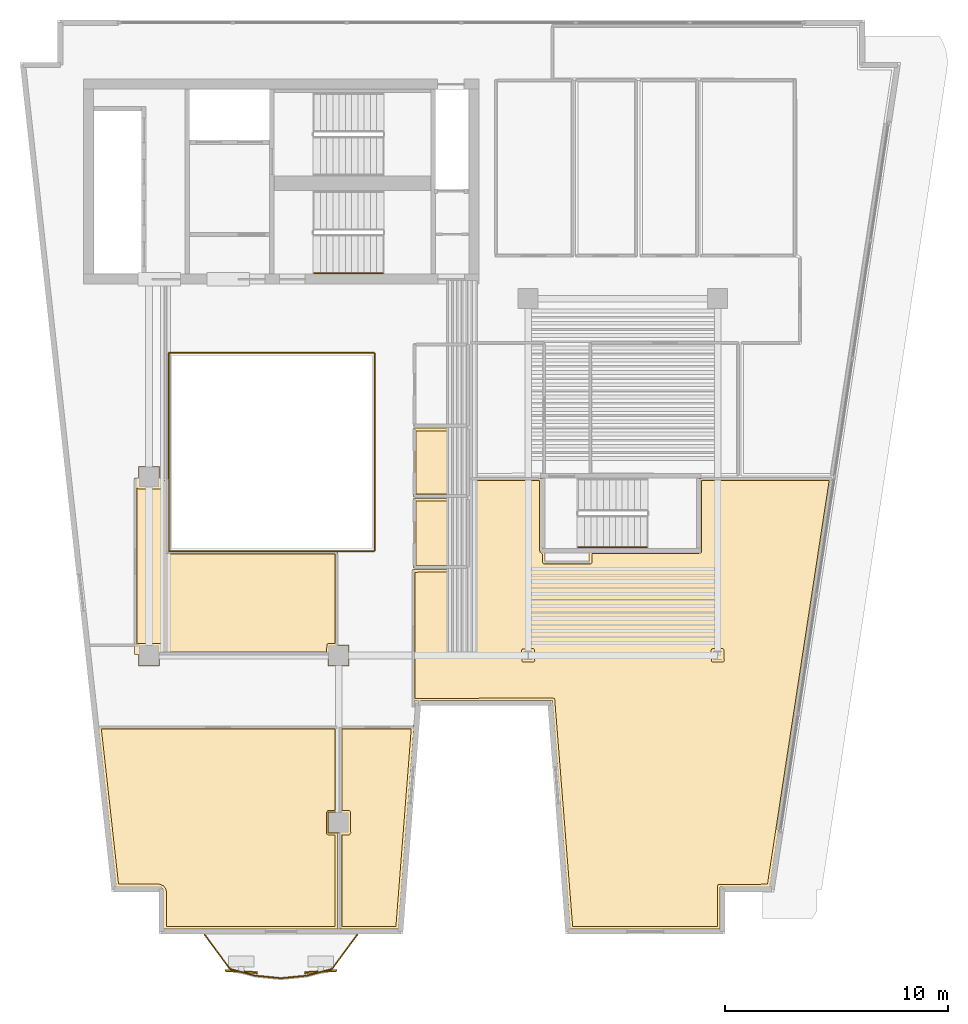
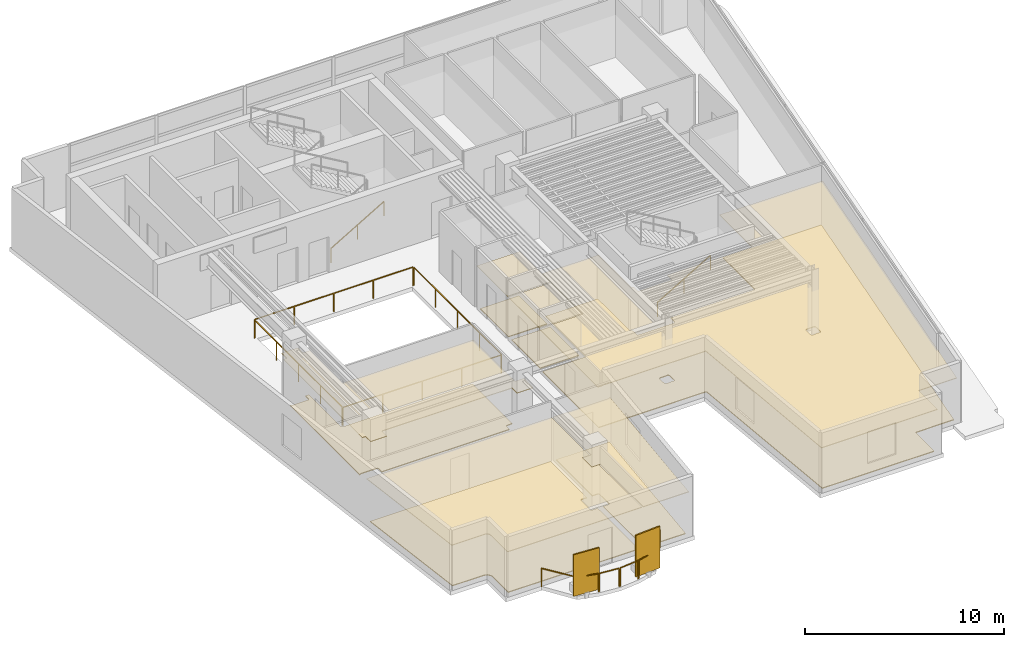
# One storey, part 7 of 8: 12 coverings, 12 railings, 2 shading devices.
"""IFC4 building model written with IfcOpenShell, lengths in metres."""

from ifc_helpers import new_model, si_unit, direction, frame, origin, origin_2d, place, context, subcontext, project, spatial, polyline, rectangle, outline, extrude, material, layer, layer_set, type_object, element, save


model = new_model("IFC4")

# Units and contexts
model_context = context("Model", 3, precision=1e-05, world=origin(), true_north=direction((0.0, 1.0)))
body_context = subcontext(model_context, "Body", "Model", "MODEL_VIEW")
ifc_project = project(units=[si_unit("LENGTHUNIT", "METRE"), si_unit("AREAUNIT", "SQUARE_METRE"), si_unit("VOLUMEUNIT", "CUBIC_METRE"), si_unit("PLANEANGLEUNIT", "RADIAN"), si_unit("MASSUNIT", "GRAM", prefix="KILO")], contexts=[model_context])

# Site, building, storey
site_placement = place(None, origin())
site = spatial("IfcSite", under=ifc_project, at=site_placement, CompositionType="ELEMENT")
building_placement = place(site_placement, origin())
building = spatial("IfcBuilding", under=site, at=building_placement, Name="Caeloran Harvest Quay", CompositionType="ELEMENT")
storey_placement = place(building_placement, frame((0.0, 0.0, 235.10009765625)))
storey = spatial("IfcBuildingStorey", under=building, at=storey_placement, Name="L56", CompositionType="ELEMENT", Elevation=235.10009765625)

# Coverings
ifc_material_1 = material(Name="Perforated Mineral-Fibre Acoustic Ceiling Tile", Category="ceiling")
ifc_layer_1 = layer(ifc_material_1, 0.0400390625, Name="Perforated Mineral-Fibre Acoustic Ceiling Tile")
ifc_layer_set_1 = layer_set([ifc_layer_1], Name="Perforated Mineral-Fibre Acoustic Ceiling Tile")
covering_type_1 = type_object("IfcCoveringType", Name="COV-CEILING-ACOUSTIC", PredefinedType="CEILING", material=ifc_layer_set_1)
covering_1_placement = place(storey_placement, frame((0.0, 0.0, 2.599853515625)))
element("IfcCovering", 1, at=covering_1_placement, inside=storey, type_object=covering_type_1, Name="L56 Female Washroom WC Acoustic Ceiling", PredefinedType="CEILING", context=body_context, shape_type="SweptSolid", body=[
    extrude(outline(polyline([(22.840087890625, 25.18994140625), (22.840087890625, 22.110107421875), (20.360107421875, 22.110107421875), (20.360107421875, 25.18994140625), (22.840087890625, 25.18994140625)])), origin(), (0.0, 0.0, 1.0), 0.0400390625),
])
covering_2_placement = place(storey_placement, frame((0.0, 0.0, 2.599853515625)))
element("IfcCovering", 2, at=covering_2_placement, inside=storey, type_object=covering_type_1, Name="L56 Accessible Unisex Washroom WC Acoustic Ceiling", PredefinedType="CEILING", context=body_context, shape_type="SweptSolid", body=[
    extrude(outline(polyline([(22.840087890625, 22.0400390625), (22.840087890625, 18.919921875), (20.360107421875, 18.919921875), (20.360107421875, 22.0400390625), (22.840087890625, 22.0400390625)])), origin(), (0.0, 0.0, 1.0), 0.0400390625),
])
covering_3_placement = place(storey_placement, frame((0.0, 0.0, 2.599853515625)))
element("IfcCovering", 3, at=covering_3_placement, inside=storey, type_object=covering_type_1, Name="Sawtooth Terrace Design Studio Office Acoustic Ceiling", PredefinedType="CEILING", context=body_context, shape_type="SweptSolid", body=[
    extrude(outline(polyline([(17.0400390625, 7.030029296875), (16.530029296875, 7.030029296875), (16.530029296875, 7.969970703125), (17.0400390625, 7.969970703125), (17.0400390625, 11.81005859375), (20.31494140625, 11.81005859375), (20.394287109375, 11.9169921875), (19.680419921875, 2.719970703125), (17.0400390625, 2.719970703125), (17.0400390625, 7.030029296875)])), origin(), (0.0, 0.0, 1.0), 0.0400390625),
])
covering_4_placement = place(storey_placement, frame((0.0, 0.0, 2.599853515625)))
element("IfcCovering", 4, at=covering_4_placement, inside=storey, type_object=covering_type_1, Name="Botanical Architecture Atelier Acoustic Ceiling", PredefinedType="CEILING", context=body_context, shape_type="SweptSolid", body=[
    extrude(outline(polyline([(9.1298828125, 4.503662109375), (9.05810546875, 4.5830078125), (8.95751953125, 4.618896484375), (7.022705078125, 4.6201171875), (6.227294921875, 11.81005859375), (16.9599609375, 11.81005859375), (16.9599609375, 7.969970703125), (17.469970703125, 7.969970703125), (17.469970703125, 7.030029296875), (16.9599609375, 7.030029296875), (16.9599609375, 2.719970703125), (9.156005859375, 2.719970703125), (9.156005859375, 4.39892578125), (9.1298828125, 4.503662109375)])), origin(), (0.0, 0.0, 1.0), 0.0400390625),
])
covering_5_placement = place(storey_placement, frame((0.0, 0.0, 2.599853515625)))
element("IfcCovering", 5, at=covering_5_placement, inside=storey, type_object=covering_type_1, Name="Material Testing Laboratory Acoustic Ceiling", PredefinedType="CEILING", context=body_context, shape_type="SweptSolid", body=[
    extrude(outline(polyline([(26.587646484375, 12.9677734375), (20.68505859375, 12.969970703125), (20.593017578125, 12.95068359375), (20.31005859375, 12.949951171875), (20.31005859375, 18.849853515625), (22.864990234375, 18.863037109375), (22.8701171875, 22.9599609375), (26.139892578125, 22.9599609375), (26.139892578125, 19.69921875), (26.259765625, 19.6044921875), (26.26318359375, 19.2099609375), (28.239990234375, 19.2099609375), (28.239990234375, 19.68994140625), (33.159912109375, 19.68994140625), (33.159912109375, 22.9599609375), (39.139404296875, 22.9599609375), (36.33740234375, 4.6201171875), (34.115966796875, 4.6201171875), (34.115966796875, 2.719970703125), (27.387451171875, 2.719970703125), (26.587646484375, 12.9677734375)])), origin(), (0.0, 0.0, 1.0), 0.0400390625),
])
covering_6_placement = place(storey_placement, frame((0.0, 0.0, 2.599853515625)))
element("IfcCovering", 6, at=covering_6_placement, inside=storey, type_object=covering_type_1, Name="Principal Partner Office Acoustic Ceiling", PredefinedType="CEILING", context=body_context, shape_type="SweptSolid", body=[
    extrude(outline(polyline([(8.030029296875, 15.0400390625), (7.840087890625, 15.0400390625), (7.840087890625, 22.9599609375), (8.030029296875, 22.9599609375), (8.030029296875, 23.469970703125), (8.969970703125, 23.469970703125), (8.969970703125, 22.9599609375), (9.360107421875, 22.9599609375), (9.360107421875, 19.659912109375), (16.9599609375, 19.659912109375), (16.9599609375, 15.469970703125), (17.469970703125, 15.469970703125), (17.469970703125, 14.530029296875), (16.530029296875, 14.530029296875), (16.530029296875, 15.0400390625), (8.969970703125, 15.0400390625), (8.969970703125, 14.530029296875), (8.030029296875, 14.530029296875), (8.030029296875, 15.0400390625)])), origin(), (0.0, 0.0, 1.0), 0.0400390625),
])
ifc_material_2 = material(Name="Calcium-Sulphate Raised Access Floor and Terrazzo Finish", Category="flooring")
ifc_layer_2 = layer(ifc_material_2, 0.050048828125, Name="Calcium-Sulphate Raised Access Floor and Terrazzo Finish")
ifc_layer_set_2 = layer_set([ifc_layer_2], Name="Calcium-Sulphate Raised Access Floor and Terrazzo Finish")
covering_type_2 = type_object("IfcCoveringType", Name="COV-FLOOR-RAISED", PredefinedType="FLOORING", material=ifc_layer_set_2)
covering_7_placement = place(storey_placement, origin())
element("IfcCovering", 7, at=covering_7_placement, inside=storey, type_object=covering_type_2, Name="L56 Female Washroom WC Raised Finish Flooring", PredefinedType="FLOORING", context=body_context, shape_type="SweptSolid", body=[
    extrude(outline(polyline([(22.719970703125, 25.070068359375), (22.719970703125, 22.22998046875), (20.47998046875, 22.22998046875), (20.47998046875, 25.070068359375), (22.719970703125, 25.070068359375)])), origin(), (0.0, 0.0, 1.0), 0.0498046875),
])
covering_8_placement = place(storey_placement, origin())
element("IfcCovering", 8, at=covering_8_placement, inside=storey, type_object=covering_type_2, Name="L56 Accessible Unisex Washroom WC Raised Finish Flooring", PredefinedType="FLOORING", context=body_context, shape_type="SweptSolid", body=[
    extrude(outline(polyline([(22.719970703125, 21.919921875), (22.719970703125, 19.0400390625), (20.47998046875, 19.0400390625), (20.47998046875, 21.919921875), (22.719970703125, 21.919921875)])), origin(), (0.0, 0.0, 1.0), 0.0498046875),
])
covering_9_placement = place(storey_placement, origin())
element("IfcCovering", 9, at=covering_9_placement, inside=storey, type_object=covering_type_2, Name="Sawtooth Terrace Design Studio Office Raised Finish Flooring", PredefinedType="FLOORING", context=body_context, shape_type="SweptSolid", body=[
    extrude(outline(polyline([(17.159912109375, 2.840087890625), (17.159912109375, 6.955078125), (17.480712890625, 6.95654296875), (17.544921875, 7.034912109375), (17.538818359375, 7.99560546875), (17.472900390625, 8.044677734375), (17.159912109375, 8.044921875), (17.159912109375, 11.68994140625), (20.256591796875, 11.68994140625), (19.569580078125, 2.840087890625), (17.159912109375, 2.840087890625)])), origin(), (0.0, 0.0, 1.0), 0.0498046875),
])
covering_10_placement = place(storey_placement, origin())
element("IfcCovering", 10, at=covering_10_placement, inside=storey, type_object=covering_type_2, Name="Botanical Architecture Atelier Raised Finish Flooring", PredefinedType="FLOORING", context=body_context, shape_type="SweptSolid", body=[
    extrude(outline(polyline([(9.25146484375, 4.5263671875), (9.148681640625, 4.665283203125), (8.97314453125, 4.73779296875), (7.13037109375, 4.739990234375), (6.361328125, 11.68994140625), (16.840087890625, 11.68994140625), (16.840087890625, 8.044921875), (16.519287109375, 8.04345703125), (16.455078125, 7.965087890625), (16.461181640625, 7.00439453125), (16.527099609375, 6.955322265625), (16.840087890625, 6.955078125), (16.840087890625, 2.840087890625), (9.27587890625, 2.840087890625), (9.27587890625, 4.39990234375), (9.25146484375, 4.5263671875)])), origin(), (0.0, 0.0, 1.0), 0.0498046875),
])
covering_11_placement = place(storey_placement, origin())
element("IfcCovering", 11, at=covering_11_placement, inside=storey, type_object=covering_type_2, Name="Material Testing Laboratory Raised Finish Flooring", PredefinedType="FLOORING", context=body_context, shape_type="SweptSolid", body=[
    extrude(outline(polyline([(28.360107421875, 19.570068359375), (33.244384765625, 19.58349609375), (33.280029296875, 19.64990234375), (33.280029296875, 22.840087890625), (38.99951171875, 22.840087890625), (36.234375, 4.739990234375), (34.025146484375, 4.7216796875), (33.99609375, 4.659912109375), (33.99609375, 2.840087890625), (27.49853515625, 2.840087890625), (26.691650390625, 13.051513671875), (26.63232421875, 13.08740234375), (26.384033203125, 13.090087890625), (20.429931640625, 13.0703125), (20.429931640625, 18.73046875), (22.905517578125, 18.743408203125), (22.971435546875, 18.779052734375), (22.989990234375, 22.840087890625), (26.02001953125, 22.840087890625), (26.02001953125, 19.679931640625), (26.038818359375, 19.62841796875), (26.140380859375, 19.5458984375), (26.157470703125, 19.125244140625), (26.2236328125, 19.090087890625), (28.295654296875, 19.091552734375), (28.359619140625, 19.162109375), (28.360107421875, 19.570068359375)]), holes=[polyline([(33.781982421875, 15.302978515625), (33.725341796875, 15.279541015625), (33.702392578125, 15.230712890625), (33.72021484375, 14.726318359375), (33.781982421875, 14.697021484375), (34.268798828125, 14.715087890625), (34.298095703125, 14.777099609375), (34.27978515625, 15.273681640625), (34.225830078125, 15.302490234375), (33.781982421875, 15.302978515625)]), polyline([(25.725830078125, 15.302490234375), (25.231201171875, 15.284912109375), (25.202392578125, 15.230712890625), (25.22021484375, 14.726318359375), (25.281982421875, 14.697021484375), (25.768798828125, 14.715087890625), (25.798095703125, 14.777099609375), (25.77978515625, 15.273681640625), (25.725830078125, 15.302490234375)])]), origin(), (0.0, 0.0, 1.0), 0.0498046875),
])
covering_12_placement = place(storey_placement, origin())
element("IfcCovering", 12, at=covering_12_placement, inside=storey, type_object=covering_type_2, Name="Principal Partner Office Raised Finish Flooring", PredefinedType="FLOORING", context=body_context, shape_type="SweptSolid", body=[
    extrude(outline(polyline([(7.9599609375, 15.49267578125), (7.9599609375, 22.50732421875), (8.034912109375, 22.455078125), (8.98828125, 22.45849609375), (9.04345703125, 22.519287109375), (9.044921875, 22.840087890625), (9.239990234375, 22.840087890625), (9.239990234375, 19.64990234375), (9.2607421875, 19.585693359375), (9.314208984375, 19.5458984375), (16.840087890625, 19.5400390625), (16.840087890625, 15.544921875), (16.478515625, 15.521484375), (16.455078125, 15.159912109375), (9.044921875, 15.159912109375), (9.04345703125, 15.480712890625), (8.98828125, 15.54150390625), (8.034912109375, 15.544921875), (7.9599609375, 15.49267578125)])), origin(), (0.0, 0.0, 1.0), 0.0498046875),
])

# Railings
ifc_material_3 = material(Name="Powder-Coated Steel Post and Laminated Glass Guardrail", Category="steel")
ifc_layer_3 = layer(ifc_material_3, 0.06005859375, Name="Powder-Coated Steel Post and Laminated Glass Guardrail")
ifc_layer_set_3 = layer_set([ifc_layer_3], Name="Powder-Coated Steel Post and Laminated Glass Guardrail")
railing_type_1 = type_object("IfcRailingType", Name="GUARD-ATRIUM-1150", PredefinedType="GUARDRAIL", material=ifc_layer_set_3)
railing_1_placement = place(storey_placement, frame((9.412109375, 19.679931640625, 0.0)))
element("IfcRailing", 13, at=railing_1_placement, inside=storey, type_object=railing_type_1, Name="L56 Skylit Atrium Void Perimeter Guardrail Seg 1", PredefinedType="GUARDRAIL", context=body_context, shape_type="SweptSolid", body=[
    extrude(rectangle(XDim=0.048095703125, YDim=0.048095703125, at=origin_2d()), frame((0.0, 0.0, 1.1259765625), z_axis=(1.0, 0.0, 0.0), x_axis=(0.0, 1.0, 0.0)), (0.0, 0.0, 1.0), 9.17578125),
    extrude(rectangle(XDim=0.0419921875, YDim=0.0419921875, at=origin_2d()), origin(), (0.0, 0.0, 1.0), 1.101806640625),
    extrude(rectangle(XDim=0.0419921875, YDim=0.0419921875, at=origin_2d()), frame((2.2939453125, 0.0, 0.0)), (0.0, 0.0, 1.0), 1.101806640625),
    extrude(rectangle(XDim=0.0419921875, YDim=0.0419921875, at=origin_2d()), frame((4.587890625, 0.0, 0.0)), (0.0, 0.0, 1.0), 1.101806640625),
    extrude(rectangle(XDim=0.0419921875, YDim=0.0419921875, at=origin_2d()), frame((6.8818359375, 0.0, 0.0)), (0.0, 0.0, 1.0), 1.101806640625),
    extrude(rectangle(XDim=0.0419921875, YDim=0.0419921875, at=origin_2d()), frame((9.17578125, 0.0, 0.0)), (0.0, 0.0, 1.0), 1.101806640625),
])
railing_2_placement = place(storey_placement, frame((18.6201171875, 19.7119140625, 0.0)))
element("IfcRailing", 14, at=railing_2_placement, inside=storey, type_object=railing_type_1, Name="L56 Skylit Atrium Void Perimeter Guardrail Seg 2", PredefinedType="GUARDRAIL", context=body_context, shape_type="SweptSolid", body=[
    extrude(rectangle(XDim=0.048095703125, YDim=0.048095703125, at=origin_2d()), frame((0.0, 0.0, 1.1259765625), z_axis=(0.0, 1.0, 0.0), x_axis=(-1.0, 0.0, 0.0)), (0.0, 0.0, 1.0), 8.826171875),
    extrude(rectangle(XDim=0.0419921875, YDim=0.0419921875, at=origin_2d()), origin(), (0.0, 0.0, 1.0), 1.101806640625),
    extrude(rectangle(XDim=0.0419921875, YDim=0.0419921875, at=origin_2d()), frame((0.0, 2.20654296875, 0.0)), (0.0, 0.0, 1.0), 1.101806640625),
    extrude(rectangle(XDim=0.0419921875, YDim=0.0419921875, at=origin_2d()), frame((0.0, 4.4130859375, 0.0)), (0.0, 0.0, 1.0), 1.101806640625),
    extrude(rectangle(XDim=0.0419921875, YDim=0.0419921875, at=origin_2d()), frame((0.0, 6.61962890625, 0.0)), (0.0, 0.0, 1.0), 1.101806640625),
    extrude(rectangle(XDim=0.0419921875, YDim=0.0419921875, at=origin_2d()), frame((0.0, 8.826171875, 0.0)), (0.0, 0.0, 1.0), 1.101806640625),
])
railing_3_placement = place(storey_placement, frame((18.587890625, 28.570068359375, 0.0)))
element("IfcRailing", 15, at=railing_3_placement, inside=storey, type_object=railing_type_1, Name="L56 Skylit Atrium Void Perimeter Guardrail Seg 3", PredefinedType="GUARDRAIL", context=body_context, shape_type="SweptSolid", body=[
    extrude(rectangle(XDim=0.048095703125, YDim=0.048095703125, at=origin_2d()), frame((0.0, 0.0, 1.1259765625), z_axis=(-1.0, 0.0, 0.0), x_axis=(0.0, -1.0, 0.0)), (0.0, 0.0, 1.0), 9.17578125),
    extrude(rectangle(XDim=0.0419921875, YDim=0.0419921875, at=origin_2d()), origin(), (0.0, 0.0, 1.0), 1.101806640625),
    extrude(rectangle(XDim=0.0419921875, YDim=0.0419921875, at=origin_2d()), frame((-2.2939453125, 0.0, 0.0)), (0.0, 0.0, 1.0), 1.101806640625),
    extrude(rectangle(XDim=0.0419921875, YDim=0.0419921875, at=origin_2d()), frame((-4.587890625, 0.0, 0.0)), (0.0, 0.0, 1.0), 1.101806640625),
    extrude(rectangle(XDim=0.0419921875, YDim=0.0419921875, at=origin_2d()), frame((-6.8818359375, 0.0, 0.0)), (0.0, 0.0, 1.0), 1.101806640625),
    extrude(rectangle(XDim=0.0419921875, YDim=0.0419921875, at=origin_2d()), frame((-9.17578125, 0.0, 0.0)), (0.0, 0.0, 1.0), 1.101806640625),
])
railing_4_placement = place(storey_placement, frame((9.3798828125, 28.5380859375, 0.0)))
element("IfcRailing", 16, at=railing_4_placement, inside=storey, type_object=railing_type_1, Name="L56 Skylit Atrium Void Perimeter Guardrail Seg 4", PredefinedType="GUARDRAIL", context=body_context, shape_type="SweptSolid", body=[
    extrude(rectangle(XDim=0.048095703125, YDim=0.048095703125, at=origin_2d()), frame((0.0, 0.0, 1.1259765625), z_axis=(0.0, -1.0, 0.0), x_axis=(1.0, 0.0, 0.0)), (0.0, 0.0, 1.0), 8.826171875),
    extrude(rectangle(XDim=0.0419921875, YDim=0.0419921875, at=origin_2d()), origin(), (0.0, 0.0, 1.0), 1.101806640625),
    extrude(rectangle(XDim=0.0419921875, YDim=0.0419921875, at=origin_2d()), frame((0.0, -2.20654296875, 0.0)), (0.0, 0.0, 1.0), 1.101806640625),
    extrude(rectangle(XDim=0.0419921875, YDim=0.0419921875, at=origin_2d()), frame((0.0, -4.4130859375, 0.0)), (0.0, 0.0, 1.0), 1.101806640625),
    extrude(rectangle(XDim=0.0419921875, YDim=0.0419921875, at=origin_2d()), frame((0.0, -6.61962890625, 0.0)), (0.0, 0.0, 1.0), 1.101806640625),
    extrude(rectangle(XDim=0.0419921875, YDim=0.0419921875, at=origin_2d()), frame((0.0, -8.826171875, 0.0)), (0.0, 0.0, 1.0), 1.101806640625),
])
ifc_material_4 = material(Name="Laminated Safety Glass and Stainless Steel 316", Category="steel")
ifc_layer_4 = layer(ifc_material_4, 0.06005859375, Name="Laminated Safety Glass and Stainless Steel 316")
ifc_layer_set_4 = layer_set([ifc_layer_4], Name="Laminated Safety Glass and Stainless Steel 316")
railing_type_2 = type_object("IfcRailingType", Name="GUARD-BALUSTRADE-1150", PredefinedType="BALUSTRADE", material=ifc_layer_set_4)
railing_5_placement = place(storey_placement, frame((17.843994140625, 2.47998046875, 0.0)))
element("IfcRailing", 17, at=railing_5_placement, inside=storey, type_object=railing_type_2, Name="L56 Planted Balcony Perimeter Balustrade Guard Seg 1", PredefinedType="BALUSTRADE", context=body_context, shape_type="SweptSolid", body=[
    extrude(rectangle(XDim=0.048095703125, YDim=0.048095703125, at=origin_2d()), frame((0.0, 0.0, 1.1259765625), z_axis=(-0.595273920831, -0.803522842972, 0.0), x_axis=(0.803522842972, -0.595273920831, 0.0)), (0.0, 0.0, 1.0), 1.888671875),
    extrude(rectangle(XDim=0.0419921875, YDim=0.0419921875, at=origin_2d()), origin(), (0.0, 0.0, 1.0), 1.101806640625),
    extrude(rectangle(XDim=0.0419921875, YDim=0.0419921875, at=origin_2d()), frame((-1.124267578125, -1.517578125, 0.0)), (0.0, 0.0, 1.0), 1.101806640625),
])
railing_6_placement = place(storey_placement, frame((16.669921875, 0.928466796875, 0.0)))
element("IfcRailing", 18, at=railing_6_placement, inside=storey, type_object=railing_type_2, Name="L56 Planted Balcony Perimeter Balustrade Guard Seg 2", PredefinedType="BALUSTRADE", context=body_context, shape_type="SweptSolid", body=[
    extrude(rectangle(XDim=0.048095703125, YDim=0.048095703125, at=origin_2d()), frame((0.0, 0.0, 1.1259765625), z_axis=(-0.966671871982, -0.256018538233, 0.0), x_axis=(0.256018538233, -0.966671871982, 0.0)), (0.0, 0.0, 1.0), 1.11865234375),
    extrude(rectangle(XDim=0.0419921875, YDim=0.0419921875, at=origin_2d()), origin(), (0.0, 0.0, 1.0), 1.101806640625),
    extrude(rectangle(XDim=0.0419921875, YDim=0.0419921875, at=origin_2d()), frame((-1.081298828125, -0.286376953125, 0.0)), (0.0, 0.0, 1.0), 1.101806640625),
])
railing_7_placement = place(storey_placement, frame((15.52587890625, 0.630859375, 0.0)))
element("IfcRailing", 19, at=railing_7_placement, inside=storey, type_object=railing_type_2, Name="L56 Planted Balcony Perimeter Balustrade Guard Seg 3", PredefinedType="BALUSTRADE", context=body_context, shape_type="SweptSolid", body=[
    extrude(rectangle(XDim=0.048095703125, YDim=0.048095703125, at=origin_2d()), frame((0.0, 0.0, 1.1259765625), z_axis=(-0.995348621141, -0.096338582055, 0.0), x_axis=(0.096338582055, -0.995348621141, 0.0)), (0.0, 0.0, 1.0), 1.084716796875),
    extrude(rectangle(XDim=0.0419921875, YDim=0.0419921875, at=origin_2d()), origin(), (0.0, 0.0, 1.0), 1.101806640625),
    extrude(rectangle(XDim=0.0419921875, YDim=0.0419921875, at=origin_2d()), frame((-1.07958984375, -0.1044921875, 0.0)), (0.0, 0.0, 1.0), 1.101806640625),
])
railing_8_placement = place(storey_placement, frame((14.382568359375, 0.5263671875, 0.0)))
element("IfcRailing", 20, at=railing_8_placement, inside=storey, type_object=railing_type_2, Name="L56 Planted Balcony Perimeter Balustrade Guard Seg 4", PredefinedType="BALUSTRADE", context=body_context, shape_type="SweptSolid", body=[
    extrude(rectangle(XDim=0.048095703125, YDim=0.048095703125, at=origin_2d()), frame((0.0, 0.0, 1.1259765625), z_axis=(-0.99534653135, 0.09636017087, 0.0), x_axis=(-0.09636017087, -0.99534653135, 0.0)), (0.0, 0.0, 1.0), 1.08447265625),
    extrude(rectangle(XDim=0.0419921875, YDim=0.0419921875, at=origin_2d()), origin(), (0.0, 0.0, 1.0), 1.101806640625),
    extrude(rectangle(XDim=0.0419921875, YDim=0.0419921875, at=origin_2d()), frame((-1.079345703125, 0.1044921875, 0.0)), (0.0, 0.0, 1.0), 1.101806640625),
])
railing_9_placement = place(storey_placement, frame((13.240478515625, 0.64208984375, 0.0)))
element("IfcRailing", 21, at=railing_9_placement, inside=storey, type_object=railing_type_2, Name="L56 Planted Balcony Perimeter Balustrade Guard Seg 5", PredefinedType="BALUSTRADE", context=body_context, shape_type="SweptSolid", body=[
    extrude(rectangle(XDim=0.048095703125, YDim=0.048095703125, at=origin_2d()), frame((0.0, 0.0, 1.1259765625), z_axis=(-0.966671871982, 0.256018538233, 0.0), x_axis=(-0.256018538233, -0.966671871982, 0.0)), (0.0, 0.0, 1.0), 1.11865234375),
    extrude(rectangle(XDim=0.0419921875, YDim=0.0419921875, at=origin_2d()), origin(), (0.0, 0.0, 1.0), 1.101806640625),
    extrude(rectangle(XDim=0.0419921875, YDim=0.0419921875, at=origin_2d()), frame((-1.081298828125, 0.286376953125, 0.0)), (0.0, 0.0, 1.0), 1.101806640625),
])
railing_10_placement = place(storey_placement, frame((12.109130859375, 0.96240234375, 0.0)))
element("IfcRailing", 22, at=railing_10_placement, inside=storey, type_object=railing_type_2, Name="L56 Planted Balcony Perimeter Balustrade Guard Seg 6", PredefinedType="BALUSTRADE", context=body_context, shape_type="SweptSolid", body=[
    extrude(rectangle(XDim=0.048095703125, YDim=0.048095703125, at=origin_2d()), frame((0.0, 0.0, 1.1259765625), z_axis=(-0.595190450179, 0.80358467383, 0.0), x_axis=(-0.80358467383, -0.595190450179, 0.0)), (0.0, 0.0, 1.0), 1.888427734375),
    extrude(rectangle(XDim=0.0419921875, YDim=0.0419921875, at=origin_2d()), origin(), (0.0, 0.0, 1.0), 1.101806640625),
    extrude(rectangle(XDim=0.0419921875, YDim=0.0419921875, at=origin_2d()), frame((-1.1240234375, 1.517578125, 0.0)), (0.0, 0.0, 1.0), 1.101806640625),
])

# Shading devices
ifc_material_5 = material(Name="3003-H14 Perforated Powder-Coated Aluminium", Category="aluminium")
shading_device_type = type_object("IfcShadingDeviceType", Name="SHADE-SCREEN-FOLDED", PredefinedType="USERDEFINED", material=ifc_material_5)
for number, where, z_axis, x_axis, name in (
    (23, (16.19775390625, 0.818603515625, 0.07470703125), (0.0, 0.0, 1.0), (0.997801468292, 0.0662739004, 0.0), "L56 Folded Facade Breathing Screen 1"),
    (24, (12.631103515625, 0.818603515625, 0.07470703125), (0.0, 0.0, 1.0), (0.997801468292, -0.0662739004, 0.0), "L56 Folded Facade Breathing Screen 2"),
):
    element("IfcShadingDevice", number, at=place(storey_placement, frame(where, z_axis=z_axis, x_axis=x_axis)), inside=storey, type_object=shading_device_type, Name=name, ObjectType="SCREEN", PredefinedType="USERDEFINED", context=body_context, shape_type="SweptSolid", body=[
        extrude(rectangle(XDim=1.449951171875, YDim=0.080078125, at=origin_2d()), origin(), (0.0, 0.0, 1.0), 2.550048828125),
    ])

# Railings
ifc_material_6 = material(Name="Brushed Stainless Steel Grade 304", Category="steel")
ifc_layer_5 = layer(ifc_material_6, 0.050048828125, Name="Brushed Stainless Steel Grade 304")
ifc_layer_set_5 = layer_set([ifc_layer_5], Name="Brushed Stainless Steel Grade 304")
railing_type_3 = type_object("IfcRailingType", Name="STAIR-HANDRAIL-900", PredefinedType="HANDRAIL", material=ifc_layer_set_5)
for number, where, name in (
    (25, (15.89990234375, 32.14990234375, 0.16455078125), "L56 ST-C2 stair handrail 1"),
    (26, (27.75, 19.85009765625, 0.16455078125), "L56 ST-W1 stair handrail 1"),
):
    element("IfcRailing", number, at=place(storey_placement, frame(where)), inside=storey, type_object=railing_type_3, Name=name, PredefinedType="HANDRAIL", context=body_context, shape_type="SweptSolid", body=[
        extrude(rectangle(XDim=0.048095703125, YDim=0.048095703125, at=origin_2d()), frame((0.0, 0.0, 0.8759765625), z_axis=(0.862118610829, 0.0, 0.506706523406), x_axis=(0.0, 1.0, 0.0)), (0.0, 0.0, 1.0), 3.57275390625),
        extrude(rectangle(XDim=0.0419921875, YDim=0.0419921875, at=origin_2d()), origin(), (0.0, 0.0, 1.0), 0.851806640625),
        extrude(rectangle(XDim=0.0419921875, YDim=0.0419921875, at=origin_2d()), frame((1.5400390625, 0.0, 0.9052734375)), (0.0, 0.0, 1.0), 0.851806640625),
        extrude(rectangle(XDim=0.0419921875, YDim=0.0419921875, at=origin_2d()), frame((3.080078125, 0.0, 1.810302734375)), (0.0, 0.0, 1.0), 0.851806640625),
    ])

save(model, "model.ifc")
